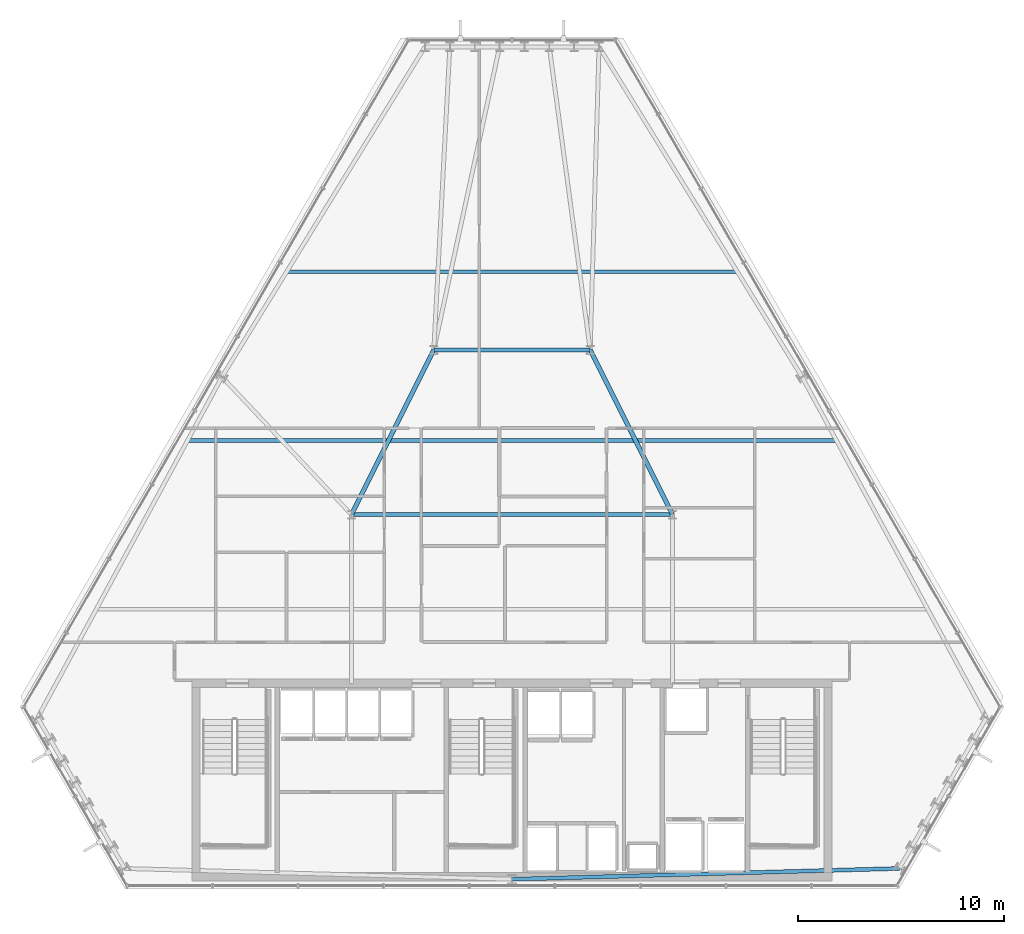
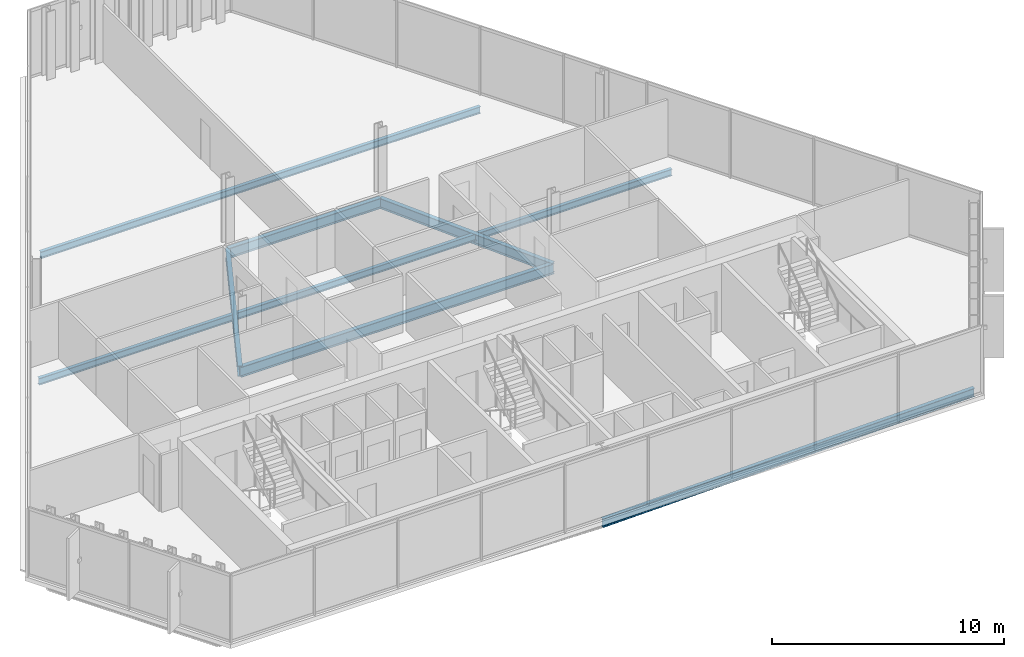
# One storey, part 14 of 35: 7 beams.
"""IFC4 building model written with IfcOpenShell, lengths in metres."""

from ifc_helpers import new_model, si_unit, direction, frame, origin, origin_2d, place, context, subcontext, project, spatial, i_section, extrude, material, material_profile, profile_set, type_object, element, save


model = new_model("IFC4")

# Units and contexts
model_context = context("Model", 3, precision=1e-05, world=origin(), true_north=direction((0.0, 1.0)))
body_context = subcontext(model_context, "Body", "Model", "MODEL_VIEW")
ifc_project = project(units=[si_unit("LENGTHUNIT", "METRE"), si_unit("AREAUNIT", "SQUARE_METRE"), si_unit("VOLUMEUNIT", "CUBIC_METRE"), si_unit("PLANEANGLEUNIT", "RADIAN"), si_unit("MASSUNIT", "GRAM", prefix="KILO")], contexts=[model_context])

# Site, building, storey
site_placement = place(None, origin())
site = spatial("IfcSite", under=ifc_project, at=site_placement, CompositionType="ELEMENT")
building_placement = place(site_placement, origin())
building = spatial("IfcBuilding", under=site, at=building_placement, Name="Ndaravel Arena Tower", CompositionType="ELEMENT")
storey_placement = place(building_placement, frame((0.0, 0.0, 172.60009765625)))
storey = spatial("IfcBuildingStorey", under=building, at=storey_placement, Name="L41", CompositionType="ELEMENT", Elevation=172.60009765625)

# Beams
ifc_material_1 = material(Name="Steel S355", Category="steel")
ifc_material_profile_1 = material_profile(ifc_material_1, i_section(OverallWidth=0.210693359375, OverallDepth=0.53955078125, WebThickness=0.01171875, FlangeThickness=0.018798828125, FilletRadius=0.0126953125, at=origin_2d()), Name="UB 533x210x109")
ifc_profile_set_1 = profile_set([ifc_material_profile_1], Name="Steel S355")
beam_type_1 = type_object("IfcBeamType", Name="BM-GIRD-UB533", PredefinedType="BEAM", material=ifc_profile_set_1)
beam_1_placement = place(storey_placement, frame((34.199951171875, 23.199951171875, -0.48974609375), z_axis=(1.0, 0.0, 0.0), x_axis=(0.0, 1.0, 0.0)))
element("IfcBeam", 1, at=beam_1_placement, inside=storey, type_object=beam_type_1, Name="L41 Spine Link Girder SLG-03", PredefinedType="BEAM", context=body_context, shape_type="SweptSolid", body=[
    extrude(i_section(OverallWidth=0.210693359375, OverallDepth=0.53955078125, WebThickness=0.01171875, FlangeThickness=0.018798828125, FilletRadius=0.0126953125, at=origin_2d()), origin(), (0.0, 0.0, 1.0), 15.60009765625),
])
for number, where, z_axis, x_axis, name in (
    (2, (34.199951171875, 23.199951171875, -0.48974609375), (0.4472135955, 0.894427191, 0.0), (-0.894427191, 0.4472135955, 0.0), "L41 Spine Link Girder SLG-04"),
    (3, (49.800048828125, 23.199951171875, -0.48974609375), (-0.4472135955, 0.894427191, 0.0), (-0.894427191, -0.4472135955, 0.0), "L41 Spine Link Girder SLG-05"),
):
    element("IfcBeam", number, at=place(storey_placement, frame(where, z_axis=z_axis, x_axis=x_axis)), inside=storey, type_object=beam_type_1, Name=name, PredefinedType="BEAM", context=body_context, shape_type="SweptSolid", body=[
        extrude(i_section(OverallWidth=0.210693359375, OverallDepth=0.53955078125, WebThickness=0.01171875, FlangeThickness=0.018798828125, FilletRadius=0.0126953125, at=origin_2d()), origin(), (0.0, 0.0, 1.0), 8.9443359375),
    ])
beam_2_placement = place(storey_placement, frame((38.199951171875, 31.199951171875, -0.48974609375), z_axis=(1.0, 0.0, 0.0), x_axis=(0.0, 1.0, 0.0)))
element("IfcBeam", 4, at=beam_2_placement, inside=storey, type_object=beam_type_1, Name="L41 Spine Link Girder SLG-06", PredefinedType="BEAM", context=body_context, shape_type="SweptSolid", body=[
    extrude(i_section(OverallWidth=0.210693359375, OverallDepth=0.53955078125, WebThickness=0.01171875, FlangeThickness=0.018798828125, FilletRadius=0.0126953125, at=origin_2d()), origin(), (0.0, 0.0, 1.0), 7.60009765625),
])
ifc_material_2 = material(Name="Steel S355", Category="steel")
ifc_material_profile_2 = material_profile(ifc_material_2, i_section(OverallWidth=0.172119140625, OverallDepth=0.35791015625, WebThickness=0.008056640625, FlangeThickness=0.012939453125, FilletRadius=0.01025390625, at=origin_2d()), Name="UB 356x171x57")
ifc_profile_set_2 = profile_set([ifc_material_profile_2], Name="Steel S355")
beam_type_2 = type_object("IfcBeamType", Name="BM-JOIST-UB356", PredefinedType="JOIST", material=ifc_profile_set_2)
beam_3_placement = place(storey_placement, frame((26.235107421875, 26.800048828125, -0.399169921875), z_axis=(1.0, 0.0, 0.0), x_axis=(0.0, 1.0, 0.0)))
element("IfcBeam", 5, at=beam_3_placement, inside=storey, type_object=beam_type_2, Name="L41 Composite Floor Joist FJ-02", PredefinedType="JOIST", context=body_context, shape_type="SweptSolid", body=[
    extrude(i_section(OverallWidth=0.172119140625, OverallDepth=0.35791015625, WebThickness=0.008056640625, FlangeThickness=0.012939453125, FilletRadius=0.01025390625, at=origin_2d()), origin(), (0.0, 0.0, 1.0), 31.52978515625),
])
beam_4_placement = place(storey_placement, frame((31.049072265625, 35.0, -0.399169921875), z_axis=(1.0, 0.0, 0.0), x_axis=(0.0, 1.0, 0.0)))
element("IfcBeam", 6, at=beam_4_placement, inside=storey, type_object=beam_type_2, Name="L41 Composite Floor Joist FJ-03", PredefinedType="JOIST", context=body_context, shape_type="SweptSolid", body=[
    extrude(i_section(OverallWidth=0.172119140625, OverallDepth=0.35791015625, WebThickness=0.008056640625, FlangeThickness=0.012939453125, FilletRadius=0.01025390625, at=origin_2d()), origin(), (0.0, 0.0, 1.0), 21.90185546875),
])
ifc_material_3 = material(Name="Steel S355", Category="steel")
ifc_material_profile_3 = material_profile(ifc_material_3, i_section(OverallWidth=0.18994140625, OverallDepth=0.449951171875, WebThickness=0.009521484375, FlangeThickness=0.0146484375, FilletRadius=0.02099609375, at=origin_2d()), Name="IPE 450")
ifc_profile_set_3 = profile_set([ifc_material_profile_3], Name="Steel S355")
beam_type_3 = type_object("IfcBeamType", Name="BM-SPAN-IPE450", PredefinedType="SPANDREL", material=ifc_profile_set_3)
beam_5_placement = place(storey_placement, frame((42.0, 5.47998046875, -0.445068359375), z_axis=(0.999613480309, 0.027800898972, 0.0), x_axis=(-0.027800898972, 0.999613480309, 0.0)))
element("IfcBeam", 7, at=beam_5_placement, inside=storey, type_object=beam_type_3, Name="L41 Perimeter Spandrel Beam SP-01", PredefinedType="SPANDREL", context=body_context, shape_type="SweptSolid", body=[
    extrude(i_section(OverallWidth=0.18994140625, OverallDepth=0.449951171875, WebThickness=0.009521484375, FlangeThickness=0.0146484375, FilletRadius=0.02099609375, at=origin_2d()), origin(), (0.0, 0.0, 1.0), 18.828125),
])

save(model, "model.ifc")
